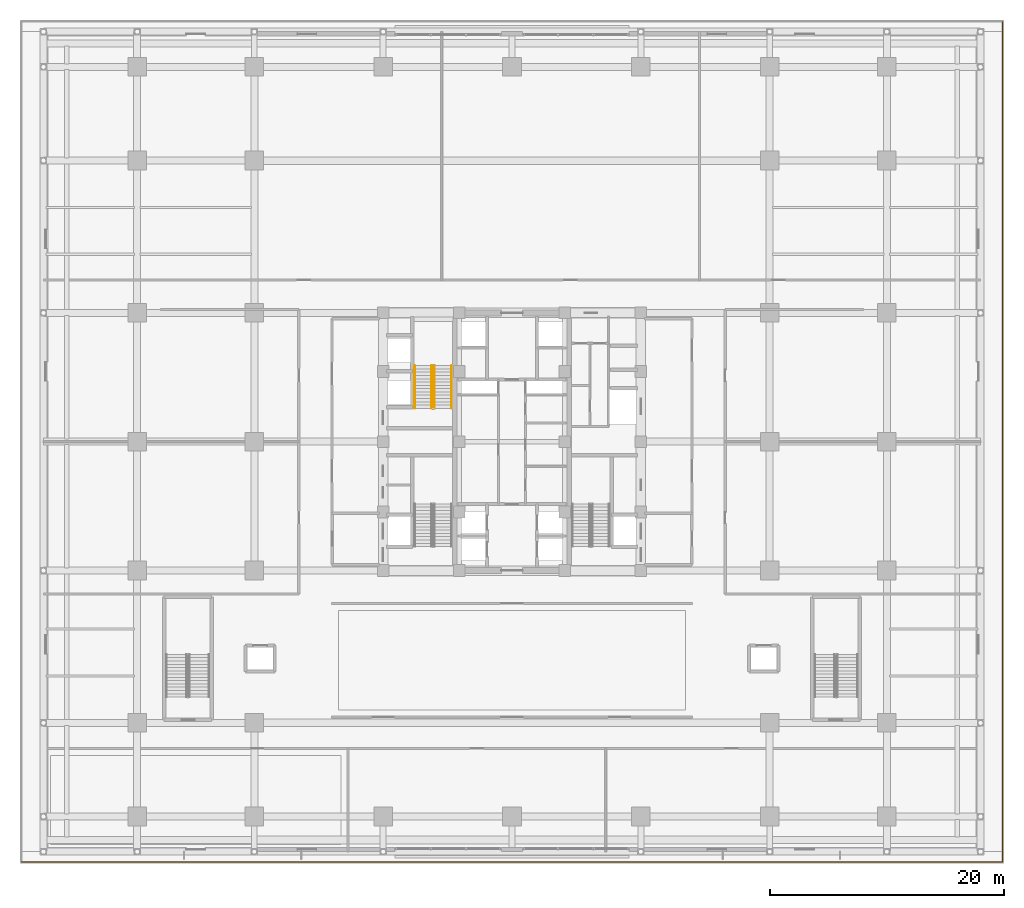
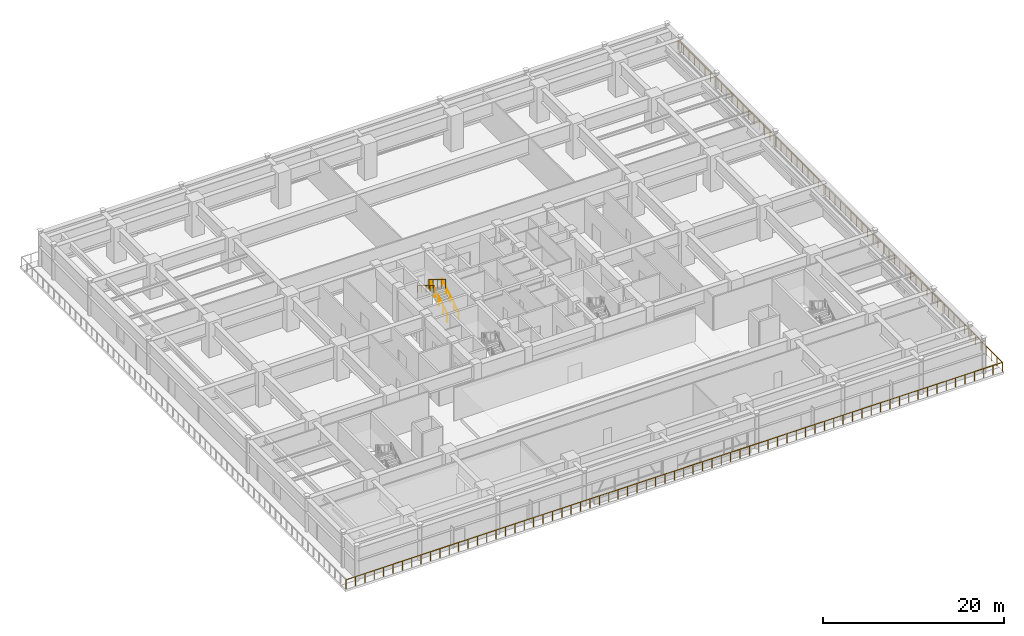
# One storey, part 36 of 38: 5 railings.
"""IFC4 building model written with IfcOpenShell, lengths in metres."""

import ifcopenshell
import ifcopenshell.guid

model = None  # the IFC model being written
_history = None  # IfcOwnerHistory: only IFC2X3 demands one
_inside = {}  # id of a spatial element -> (the spatial element, [elements in it])
_under = {}  # id of a project, library or spatial element -> (it, [spatial elements below it])
_declared = {}  # id of a project -> (the project, [libraries it declares])
_typed = {}  # id of a type object -> (the type object, [elements of that type])
_made_of = {}  # id of a material, layer set ... -> (it, [elements and type objects made of it])


def new_model(schema):
    """Start an empty IFC model of exactly this schema.

    Asked for "IFC4X3", IfcOpenShell would pick the latest addendum, in which some entities
    have other attributes; the version numbers below select the first issue.
    IFC2X3 requires an IfcOwnerHistory on every rooted entity: one is made here for all.
    """
    global model, _history
    if schema == "IFC4X3":
        model = ifcopenshell.file(schema_version=(4, 3, 0, 0))
    else:
        model = ifcopenshell.file(schema=schema)
    _inside.clear()
    _under.clear()
    _declared.clear()
    _typed.clear()
    _made_of.clear()
    _history = None
    if model.schema == "IFC2X3":
        org = make("IfcOrganization", Name="unknown")
        user = make(
            "IfcPersonAndOrganization",
            ThePerson=make("IfcPerson", FamilyName="unknown"),
            TheOrganization=org,
        )
        app = make(
            "IfcApplication",
            ApplicationDeveloper=org,
            Version="unknown",
            ApplicationFullName="unknown",
            ApplicationIdentifier="unknown",
        )
        _history = make(
            "IfcOwnerHistory",
            OwningUser=user,
            OwningApplication=app,
            ChangeAction="ADDED",
            CreationDate=0,
        )
    return model


def make(cls, **values):
    """One entity of the class cls with the attributes given. An attribute that is None is left unset."""
    return model.create_entity(
        cls, **{name: value for name, value in values.items() if value is not None}
    )


def rooted(cls, **values):
    """An entity with a GlobalId (a new one), such as an element, a storey or a relation."""
    return make(cls, GlobalId=ifcopenshell.guid.new(), OwnerHistory=_history, **values)


def si_unit(unit_type, name, prefix=None):
    """IfcSIUnit, for example si_unit("LENGTHUNIT", "METRE", prefix="MILLI")."""
    return make("IfcSIUnit", UnitType=unit_type, Prefix=prefix, Name=name)


def assignment(units):
    """IfcUnitAssignment: the units of a project."""
    return None if units is None else make("IfcUnitAssignment", Units=units)


def point(xyz):
    """IfcCartesianPoint."""
    return None if xyz is None else make("IfcCartesianPoint", Coordinates=xyz)


def direction(xyz):
    """IfcDirection."""
    return None if xyz is None else make("IfcDirection", DirectionRatios=xyz)


def frame(location, z_axis=None, x_axis=None):
    """IfcAxis2Placement3D, a coordinate frame: its origin and axes. An axis left out is left unset."""
    return make(
        "IfcAxis2Placement3D",
        Location=point(location),
        Axis=direction(z_axis),
        RefDirection=direction(x_axis),
    )


def frame_2d(location, x_axis=None):
    """IfcAxis2Placement2D, a coordinate frame in the plane: its origin and x axis."""
    return make(
        "IfcAxis2Placement2D", Location=point(location), RefDirection=direction(x_axis)
    )


def origin():
    """The frame at (0, 0, 0) with its axes left unset."""
    return frame((0.0, 0.0, 0.0))


def origin_2d():
    """The frame at (0, 0) in the plane with its x axis left unset."""
    return frame_2d((0.0, 0.0))


def place(relative_to, where):
    """IfcLocalPlacement: puts the frame where relative to a parent placement (None: the world)."""
    return make(
        "IfcLocalPlacement", PlacementRelTo=relative_to, RelativePlacement=where
    )


def context(
    kind, dimensions, precision=None, world=None, true_north=None, identifier=None
):
    """IfcGeometricRepresentationContext, for example the 3D "Model" context."""
    return make(
        "IfcGeometricRepresentationContext",
        ContextIdentifier=identifier,
        ContextType=kind,
        CoordinateSpaceDimension=dimensions,
        Precision=precision,
        WorldCoordinateSystem=world,
        TrueNorth=true_north,
    )


def subcontext(parent, identifier, kind, view, scale=None):
    """IfcGeometricRepresentationSubContext, for example "Body" below "Model"."""
    return make(
        "IfcGeometricRepresentationSubContext",
        ContextIdentifier=identifier,
        ContextType=kind,
        ParentContext=parent,
        TargetScale=scale,
        TargetView=view,
    )


def project(units=None, contexts=None):
    """IfcProject with its units and contexts."""
    return rooted(
        "IfcProject",
        Name="project",
        RepresentationContexts=contexts,
        UnitsInContext=assignment(units),
    )


def spatial(cls, under=None, at=None, **own):
    """A site, building, storey or space (cls), placed at a placement, below another one or the project."""
    s = rooted(cls, ObjectPlacement=at, **own)
    if under is not None:
        _under.setdefault(under.id(), (under, []))[1].append(s)
    return s


def profile(cls, at=None, kind="AREA", **sizes):
    """A parametric profile (cls). Its sizes go by their IFC names, for example OverallWidth=200.0."""
    return make(cls, ProfileType=kind, Position=at, **sizes)


def circle(**sizes):
    """IfcCircleProfileDef."""
    return profile("IfcCircleProfileDef", **sizes)


def extrude(swept, where, along, depth):
    """IfcExtrudedAreaSolid: the profile swept, set in the frame where, extruded along a direction by depth."""
    return make(
        "IfcExtrudedAreaSolid",
        SweptArea=swept,
        Position=where,
        ExtrudedDirection=direction(along),
        Depth=depth,
    )


def shape(context_of_items, identifier, shape_type, items):
    """IfcShapeRepresentation: the items that make up one representation, for example the "Body"."""
    return make(
        "IfcShapeRepresentation",
        ContextOfItems=context_of_items,
        RepresentationIdentifier=identifier,
        RepresentationType=shape_type,
        Items=items,
    )


def source(mapping_origin, context_of_items, identifier, shape_type, items):
    """IfcRepresentationMap: a shape defined once, which mapped items show again and again."""
    return make(
        "IfcRepresentationMap",
        MappingOrigin=mapping_origin,
        MappedRepresentation=shape(context_of_items, identifier, shape_type, items),
    )


def transform(
    local_origin,
    x_axis=None,
    y_axis=None,
    z_axis=None,
    scale=None,
    scale2=None,
    scale3=None,
    uniform=True,
):
    """IfcCartesianTransformationOperator3D, or its non-uniform kind. x_axis, y_axis, z_axis: its Axis1, 2, 3."""
    if uniform:
        return make(
            "IfcCartesianTransformationOperator3D",
            Axis1=direction(x_axis),
            Axis2=direction(y_axis),
            LocalOrigin=point(local_origin),
            Scale=scale,
            Axis3=direction(z_axis),
        )
    return make(
        "IfcCartesianTransformationOperator3DnonUniform",
        Axis1=direction(x_axis),
        Axis2=direction(y_axis),
        LocalOrigin=point(local_origin),
        Scale=scale,
        Axis3=direction(z_axis),
        Scale2=scale2,
        Scale3=scale3,
    )


def mapped(mapping_source, mapping_target):
    """IfcMappedItem: shows the shape of a source again, moved by a transform."""
    return make(
        "IfcMappedItem", MappingSource=mapping_source, MappingTarget=mapping_target
    )


def material(Name=None, Category=None):
    """IfcMaterial."""
    return make("IfcMaterial", Name=Name, Category=Category)


def made_of(thing, what):
    """Note that an element or type object is made of a material, layer set ...; save() writes the relation."""
    if what is not None:
        _made_of.setdefault(what.id(), (what, []))[1].append(thing)
    return thing


def type_object(cls, material=None, **own):
    """A type object (cls), such as IfcWallType, which elements share."""
    return made_of(rooted(cls, **own), material)


def element(
    cls,
    number,
    at=None,
    inside=None,
    cuts=None,
    type_object=None,
    material=None,
    context=None,
    identifier="Body",
    shape_type=None,
    held_by="IfcProductDefinitionShape",
    body=None,
    shapes=None,
    **own,
):
    """One element of the class cls, such as IfcWall. Its Tag is "e" and its number.

    at: its placement. inside: the storey or other place that contains it. cuts: it is an
    opening in that element (IfcRelVoidsElement). A single representation is given by context,
    identifier, shape_type and body (its items); several are given by shapes. held_by: the class
    of the entity that holds the representations. save() writes the other relations.
    """
    e = rooted(cls, Tag="e%d" % number, ObjectPlacement=at, **own)
    if body is not None:
        shapes = [shape(context, identifier, shape_type, body)]
    if shapes is not None:
        e.Representation = make(held_by, Representations=shapes)
    if inside is not None:
        _inside.setdefault(inside.id(), (inside, []))[1].append(e)
    if cuts is not None:
        rooted(
            "IfcRelVoidsElement", RelatingBuildingElement=cuts, RelatedOpeningElement=e
        )
    if type_object is not None:
        _typed.setdefault(type_object.id(), (type_object, []))[1].append(e)
    return made_of(e, material)


def aggregate(whole, parts):
    """IfcRelAggregates: a whole, such as a stair, and the parts it consists of."""
    return rooted("IfcRelAggregates", RelatingObject=whole, RelatedObjects=parts)


def save(model, path):
    """Write the relations noted so far, then the file.

    IfcRelAggregates (storeys below a building ...), IfcRelContainedInSpatialStructure (elements
    in a storey), IfcRelDefinesByType, IfcRelAssociatesMaterial and IfcRelDeclares: one each for
    every whole, place, type object, material and project.
    """
    for whole, parts in _under.values():
        aggregate(whole, parts)
    for where, things in _inside.values():
        rooted(
            "IfcRelContainedInSpatialStructure",
            RelatedElements=things,
            RelatingStructure=where,
        )
    for kind, things in _typed.values():
        rooted("IfcRelDefinesByType", RelatedObjects=things, RelatingType=kind)
    for what, things in _made_of.values():
        rooted("IfcRelAssociatesMaterial", RelatedObjects=things, RelatingMaterial=what)
    for by, libraries in _declared.values():
        rooted("IfcRelDeclares", RelatingContext=by, RelatedDefinitions=libraries)
    model.write(path)


model = new_model("IFC4")

# Units and contexts
model_context = context("Model", 3, precision=1e-05, world=origin(), true_north=direction((0.0, 1.0)))
body_context = subcontext(model_context, "Body", "Model", "MODEL_VIEW")
ifc_project = project(units=[si_unit("LENGTHUNIT", "METRE"), si_unit("AREAUNIT", "SQUARE_METRE"), si_unit("VOLUMEUNIT", "CUBIC_METRE"), si_unit("PLANEANGLEUNIT", "RADIAN"), si_unit("MASSUNIT", "GRAM", prefix="KILO")], contexts=[model_context])

# Site, building, storey
site_placement = place(None, origin())
site = spatial("IfcSite", under=ifc_project, at=site_placement, CompositionType="ELEMENT")
building_placement = place(site_placement, origin())
building = spatial("IfcBuilding", under=site, at=building_placement, Name="Khorayat Bourse Tower", CompositionType="ELEMENT")
storey_placement = place(building_placement, frame((0.0, 0.0, 17.39990234375)))
storey = spatial("IfcBuildingStorey", under=building, at=storey_placement, Name="L03", CompositionType="ELEMENT", Elevation=17.39990234375)

# Railings
ifc_material_1 = material(Name="Laminated glass and bronze balustrade", Category="glass")
railing_type_1 = type_object("IfcRailingType", Name="RLG-TERR-1250", PredefinedType="GUARDRAIL", material=ifc_material_1)
shared_shape_1 = source(origin(), body_context, "Body", "SweptSolid", [
    extrude(circle(Radius=0.02392578125, at=origin_2d()), frame((0.0, 0.0, 1.22607421875), z_axis=(1.0, 0.0, 0.0), x_axis=(0.0, 1.0, 0.0)), (0.0, 0.0, 1.0), 83.759765625),
    extrude(circle(Radius=0.02392578125, at=origin_2d()), frame((83.759765625, 0.0, 1.22607421875), z_axis=(0.0, 1.0, 0.0), x_axis=(-1.0, 0.0, 0.0)), (0.0, 0.0, 1.0), 71.699951171875),
    extrude(circle(Radius=0.02099609375, at=origin_2d()), origin(), (0.0, 0.0, 1.0), 1.201904296875),
    extrude(circle(Radius=0.02099609375, at=origin_2d()), frame((1.196533203125, 0.0, 0.0)), (0.0, 0.0, 1.0), 1.201904296875),
    extrude(circle(Radius=0.02099609375, at=origin_2d()), frame((2.39306640625, 0.0, 0.0)), (0.0, 0.0, 1.0), 1.201904296875),
    extrude(circle(Radius=0.02099609375, at=origin_2d()), frame((3.589599609375, 0.0, 0.0)), (0.0, 0.0, 1.0), 1.201904296875),
    extrude(circle(Radius=0.02099609375, at=origin_2d()), frame((4.786376953125, 0.0, 0.0)), (0.0, 0.0, 1.0), 1.201904296875),
    extrude(circle(Radius=0.02099609375, at=origin_2d()), frame((5.98291015625, 0.0, 0.0)), (0.0, 0.0, 1.0), 1.201904296875),
    extrude(circle(Radius=0.02099609375, at=origin_2d()), frame((7.179443359375, 0.0, 0.0)), (0.0, 0.0, 1.0), 1.201904296875),
    extrude(circle(Radius=0.02099609375, at=origin_2d()), frame((8.3759765625, 0.0, 0.0)), (0.0, 0.0, 1.0), 1.201904296875),
    extrude(circle(Radius=0.02099609375, at=origin_2d()), frame((9.572509765625, 0.0, 0.0)), (0.0, 0.0, 1.0), 1.201904296875),
    extrude(circle(Radius=0.02099609375, at=origin_2d()), frame((10.76904296875, 0.0, 0.0)), (0.0, 0.0, 1.0), 1.201904296875),
    extrude(circle(Radius=0.02099609375, at=origin_2d()), frame((11.965576171875, 0.0, 0.0)), (0.0, 0.0, 1.0), 1.201904296875),
    extrude(circle(Radius=0.02099609375, at=origin_2d()), frame((13.162353515625, 0.0, 0.0)), (0.0, 0.0, 1.0), 1.201904296875),
    extrude(circle(Radius=0.02099609375, at=origin_2d()), frame((14.35888671875, 0.0, 0.0)), (0.0, 0.0, 1.0), 1.201904296875),
    extrude(circle(Radius=0.02099609375, at=origin_2d()), frame((15.555419921875, 0.0, 0.0)), (0.0, 0.0, 1.0), 1.201904296875),
    extrude(circle(Radius=0.02099609375, at=origin_2d()), frame((16.751953125, 0.0, 0.0)), (0.0, 0.0, 1.0), 1.201904296875),
    extrude(circle(Radius=0.02099609375, at=origin_2d()), frame((17.948486328125, 0.0, 0.0)), (0.0, 0.0, 1.0), 1.201904296875),
    extrude(circle(Radius=0.02099609375, at=origin_2d()), frame((19.14501953125, 0.0, 0.0)), (0.0, 0.0, 1.0), 1.201904296875),
    extrude(circle(Radius=0.02099609375, at=origin_2d()), frame((20.341552734375, 0.0, 0.0)), (0.0, 0.0, 1.0), 1.201904296875),
    extrude(circle(Radius=0.02099609375, at=origin_2d()), frame((21.538330078125, 0.0, 0.0)), (0.0, 0.0, 1.0), 1.201904296875),
    extrude(circle(Radius=0.02099609375, at=origin_2d()), frame((22.73486328125, 0.0, 0.0)), (0.0, 0.0, 1.0), 1.201904296875),
    extrude(circle(Radius=0.02099609375, at=origin_2d()), frame((23.931396484375, 0.0, 0.0)), (0.0, 0.0, 1.0), 1.201904296875),
    extrude(circle(Radius=0.02099609375, at=origin_2d()), frame((25.1279296875, 0.0, 0.0)), (0.0, 0.0, 1.0), 1.201904296875),
    extrude(circle(Radius=0.02099609375, at=origin_2d()), frame((26.324462890625, 0.0, 0.0)), (0.0, 0.0, 1.0), 1.201904296875),
    extrude(circle(Radius=0.02099609375, at=origin_2d()), frame((27.52099609375, 0.0, 0.0)), (0.0, 0.0, 1.0), 1.201904296875),
    extrude(circle(Radius=0.02099609375, at=origin_2d()), frame((28.717529296875, 0.0, 0.0)), (0.0, 0.0, 1.0), 1.201904296875),
    extrude(circle(Radius=0.02099609375, at=origin_2d()), frame((29.914306640625, 0.0, 0.0)), (0.0, 0.0, 1.0), 1.201904296875),
    extrude(circle(Radius=0.02099609375, at=origin_2d()), frame((31.11083984375, 0.0, 0.0)), (0.0, 0.0, 1.0), 1.201904296875),
    extrude(circle(Radius=0.02099609375, at=origin_2d()), frame((32.307373046875, 0.0, 0.0)), (0.0, 0.0, 1.0), 1.201904296875),
    extrude(circle(Radius=0.02099609375, at=origin_2d()), frame((33.50390625, 0.0, 0.0)), (0.0, 0.0, 1.0), 1.201904296875),
    extrude(circle(Radius=0.02099609375, at=origin_2d()), frame((34.700439453125, 0.0, 0.0)), (0.0, 0.0, 1.0), 1.201904296875),
    extrude(circle(Radius=0.02099609375, at=origin_2d()), frame((35.89697265625, 0.0, 0.0)), (0.0, 0.0, 1.0), 1.201904296875),
    extrude(circle(Radius=0.02099609375, at=origin_2d()), frame((37.093505859375, 0.0, 0.0)), (0.0, 0.0, 1.0), 1.201904296875),
    extrude(circle(Radius=0.02099609375, at=origin_2d()), frame((38.290283203125, 0.0, 0.0)), (0.0, 0.0, 1.0), 1.201904296875),
    extrude(circle(Radius=0.02099609375, at=origin_2d()), frame((39.48681640625, 0.0, 0.0)), (0.0, 0.0, 1.0), 1.201904296875),
    extrude(circle(Radius=0.02099609375, at=origin_2d()), frame((40.683349609375, 0.0, 0.0)), (0.0, 0.0, 1.0), 1.201904296875),
    extrude(circle(Radius=0.02099609375, at=origin_2d()), frame((41.8798828125, 0.0, 0.0)), (0.0, 0.0, 1.0), 1.201904296875),
    extrude(circle(Radius=0.02099609375, at=origin_2d()), frame((43.076416015625, 0.0, 0.0)), (0.0, 0.0, 1.0), 1.201904296875),
    extrude(circle(Radius=0.02099609375, at=origin_2d()), frame((44.27294921875, 0.0, 0.0)), (0.0, 0.0, 1.0), 1.201904296875),
    extrude(circle(Radius=0.02099609375, at=origin_2d()), frame((45.469482421875, 0.0, 0.0)), (0.0, 0.0, 1.0), 1.201904296875),
    extrude(circle(Radius=0.02099609375, at=origin_2d()), frame((46.666259765625, 0.0, 0.0)), (0.0, 0.0, 1.0), 1.201904296875),
    extrude(circle(Radius=0.02099609375, at=origin_2d()), frame((47.86279296875, 0.0, 0.0)), (0.0, 0.0, 1.0), 1.201904296875),
    extrude(circle(Radius=0.02099609375, at=origin_2d()), frame((49.059326171875, 0.0, 0.0)), (0.0, 0.0, 1.0), 1.201904296875),
    extrude(circle(Radius=0.02099609375, at=origin_2d()), frame((50.255859375, 0.0, 0.0)), (0.0, 0.0, 1.0), 1.201904296875),
    extrude(circle(Radius=0.02099609375, at=origin_2d()), frame((51.452392578125, 0.0, 0.0)), (0.0, 0.0, 1.0), 1.201904296875),
    extrude(circle(Radius=0.02099609375, at=origin_2d()), frame((52.64892578125, 0.0, 0.0)), (0.0, 0.0, 1.0), 1.201904296875),
    extrude(circle(Radius=0.02099609375, at=origin_2d()), frame((53.845458984375, 0.0, 0.0)), (0.0, 0.0, 1.0), 1.201904296875),
    extrude(circle(Radius=0.02099609375, at=origin_2d()), frame((55.042236328125, 0.0, 0.0)), (0.0, 0.0, 1.0), 1.201904296875),
    extrude(circle(Radius=0.02099609375, at=origin_2d()), frame((56.23876953125, 0.0, 0.0)), (0.0, 0.0, 1.0), 1.201904296875),
    extrude(circle(Radius=0.02099609375, at=origin_2d()), frame((57.435302734375, 0.0, 0.0)), (0.0, 0.0, 1.0), 1.201904296875),
    extrude(circle(Radius=0.02099609375, at=origin_2d()), frame((58.6318359375, 0.0, 0.0)), (0.0, 0.0, 1.0), 1.201904296875),
    extrude(circle(Radius=0.02099609375, at=origin_2d()), frame((59.828369140625, 0.0, 0.0)), (0.0, 0.0, 1.0), 1.201904296875),
    extrude(circle(Radius=0.02099609375, at=origin_2d()), frame((61.02490234375, 0.0, 0.0)), (0.0, 0.0, 1.0), 1.201904296875),
    extrude(circle(Radius=0.02099609375, at=origin_2d()), frame((62.221435546875, 0.0, 0.0)), (0.0, 0.0, 1.0), 1.201904296875),
    extrude(circle(Radius=0.02099609375, at=origin_2d()), frame((63.418212890625, 0.0, 0.0)), (0.0, 0.0, 1.0), 1.201904296875),
    extrude(circle(Radius=0.02099609375, at=origin_2d()), frame((64.61474609375, 0.0, 0.0)), (0.0, 0.0, 1.0), 1.201904296875),
    extrude(circle(Radius=0.02099609375, at=origin_2d()), frame((65.811279296875, 0.0, 0.0)), (0.0, 0.0, 1.0), 1.201904296875),
    extrude(circle(Radius=0.02099609375, at=origin_2d()), frame((67.0078125, 0.0, 0.0)), (0.0, 0.0, 1.0), 1.201904296875),
    extrude(circle(Radius=0.02099609375, at=origin_2d()), frame((68.204345703125, 0.0, 0.0)), (0.0, 0.0, 1.0), 1.201904296875),
    extrude(circle(Radius=0.02099609375, at=origin_2d()), frame((69.40087890625, 0.0, 0.0)), (0.0, 0.0, 1.0), 1.201904296875),
    extrude(circle(Radius=0.02099609375, at=origin_2d()), frame((70.597412109375, 0.0, 0.0)), (0.0, 0.0, 1.0), 1.201904296875),
    extrude(circle(Radius=0.02099609375, at=origin_2d()), frame((71.794189453125, 0.0, 0.0)), (0.0, 0.0, 1.0), 1.201904296875),
    extrude(circle(Radius=0.02099609375, at=origin_2d()), frame((72.99072265625, 0.0, 0.0)), (0.0, 0.0, 1.0), 1.201904296875),
    extrude(circle(Radius=0.02099609375, at=origin_2d()), frame((74.187255859375, 0.0, 0.0)), (0.0, 0.0, 1.0), 1.201904296875),
    extrude(circle(Radius=0.02099609375, at=origin_2d()), frame((75.3837890625, 0.0, 0.0)), (0.0, 0.0, 1.0), 1.201904296875),
    extrude(circle(Radius=0.02099609375, at=origin_2d()), frame((76.580322265625, 0.0, 0.0)), (0.0, 0.0, 1.0), 1.201904296875),
    extrude(circle(Radius=0.02099609375, at=origin_2d()), frame((77.77685546875, 0.0, 0.0)), (0.0, 0.0, 1.0), 1.201904296875),
    extrude(circle(Radius=0.02099609375, at=origin_2d()), frame((78.973388671875, 0.0, 0.0)), (0.0, 0.0, 1.0), 1.201904296875),
    extrude(circle(Radius=0.02099609375, at=origin_2d()), frame((80.170166015625, 0.0, 0.0)), (0.0, 0.0, 1.0), 1.201904296875),
    extrude(circle(Radius=0.02099609375, at=origin_2d()), frame((81.36669921875, 0.0, 0.0)), (0.0, 0.0, 1.0), 1.201904296875),
    extrude(circle(Radius=0.02099609375, at=origin_2d()), frame((82.563232421875, 0.0, 0.0)), (0.0, 0.0, 1.0), 1.201904296875),
    extrude(circle(Radius=0.02099609375, at=origin_2d()), frame((83.759765625, 0.0, 0.0)), (0.0, 0.0, 1.0), 1.201904296875),
    extrude(circle(Radius=0.02099609375, at=origin_2d()), frame((83.759765625, 1.195068359375, 0.0)), (0.0, 0.0, 1.0), 1.201904296875),
    extrude(circle(Radius=0.02099609375, at=origin_2d()), frame((83.759765625, 2.389892578125, 0.0)), (0.0, 0.0, 1.0), 1.201904296875),
    extrude(circle(Radius=0.02099609375, at=origin_2d()), frame((83.759765625, 3.5849609375, 0.0)), (0.0, 0.0, 1.0), 1.201904296875),
    extrude(circle(Radius=0.02099609375, at=origin_2d()), frame((83.759765625, 4.780029296875, 0.0)), (0.0, 0.0, 1.0), 1.201904296875),
    extrude(circle(Radius=0.02099609375, at=origin_2d()), frame((83.759765625, 5.97509765625, 0.0)), (0.0, 0.0, 1.0), 1.201904296875),
    extrude(circle(Radius=0.02099609375, at=origin_2d()), frame((83.759765625, 7.169921875, 0.0)), (0.0, 0.0, 1.0), 1.201904296875),
    extrude(circle(Radius=0.02099609375, at=origin_2d()), frame((83.759765625, 8.364990234375, 0.0)), (0.0, 0.0, 1.0), 1.201904296875),
    extrude(circle(Radius=0.02099609375, at=origin_2d()), frame((83.759765625, 9.56005859375, 0.0)), (0.0, 0.0, 1.0), 1.201904296875),
    extrude(circle(Radius=0.02099609375, at=origin_2d()), frame((83.759765625, 10.7548828125, 0.0)), (0.0, 0.0, 1.0), 1.201904296875),
    extrude(circle(Radius=0.02099609375, at=origin_2d()), frame((83.759765625, 11.949951171875, 0.0)), (0.0, 0.0, 1.0), 1.201904296875),
    extrude(circle(Radius=0.02099609375, at=origin_2d()), frame((83.759765625, 13.14501953125, 0.0)), (0.0, 0.0, 1.0), 1.201904296875),
    extrude(circle(Radius=0.02099609375, at=origin_2d()), frame((83.759765625, 14.340087890625, 0.0)), (0.0, 0.0, 1.0), 1.201904296875),
    extrude(circle(Radius=0.02099609375, at=origin_2d()), frame((83.759765625, 15.534912109375, 0.0)), (0.0, 0.0, 1.0), 1.201904296875),
    extrude(circle(Radius=0.02099609375, at=origin_2d()), frame((83.759765625, 16.72998046875, 0.0)), (0.0, 0.0, 1.0), 1.201904296875),
    extrude(circle(Radius=0.02099609375, at=origin_2d()), frame((83.759765625, 17.925048828125, 0.0)), (0.0, 0.0, 1.0), 1.201904296875),
    extrude(circle(Radius=0.02099609375, at=origin_2d()), frame((83.759765625, 19.119873046875, 0.0)), (0.0, 0.0, 1.0), 1.201904296875),
    extrude(circle(Radius=0.02099609375, at=origin_2d()), frame((83.759765625, 20.31494140625, 0.0)), (0.0, 0.0, 1.0), 1.201904296875),
    extrude(circle(Radius=0.02099609375, at=origin_2d()), frame((83.759765625, 21.510009765625, 0.0)), (0.0, 0.0, 1.0), 1.201904296875),
    extrude(circle(Radius=0.02099609375, at=origin_2d()), frame((83.759765625, 22.705078125, 0.0)), (0.0, 0.0, 1.0), 1.201904296875),
    extrude(circle(Radius=0.02099609375, at=origin_2d()), frame((83.759765625, 23.89990234375, 0.0)), (0.0, 0.0, 1.0), 1.201904296875),
    extrude(circle(Radius=0.02099609375, at=origin_2d()), frame((83.759765625, 25.094970703125, 0.0)), (0.0, 0.0, 1.0), 1.201904296875),
    extrude(circle(Radius=0.02099609375, at=origin_2d()), frame((83.759765625, 26.2900390625, 0.0)), (0.0, 0.0, 1.0), 1.201904296875),
    extrude(circle(Radius=0.02099609375, at=origin_2d()), frame((83.759765625, 27.48486328125, 0.0)), (0.0, 0.0, 1.0), 1.201904296875),
    extrude(circle(Radius=0.02099609375, at=origin_2d()), frame((83.759765625, 28.679931640625, 0.0)), (0.0, 0.0, 1.0), 1.201904296875),
    extrude(circle(Radius=0.02099609375, at=origin_2d()), frame((83.759765625, 29.875, 0.0)), (0.0, 0.0, 1.0), 1.201904296875),
    extrude(circle(Radius=0.02099609375, at=origin_2d()), frame((83.759765625, 31.070068359375, 0.0)), (0.0, 0.0, 1.0), 1.201904296875),
    extrude(circle(Radius=0.02099609375, at=origin_2d()), frame((83.759765625, 32.264892578125, 0.0)), (0.0, 0.0, 1.0), 1.201904296875),
    extrude(circle(Radius=0.02099609375, at=origin_2d()), frame((83.759765625, 33.4599609375, 0.0)), (0.0, 0.0, 1.0), 1.201904296875),
    extrude(circle(Radius=0.02099609375, at=origin_2d()), frame((83.759765625, 34.655029296875, 0.0)), (0.0, 0.0, 1.0), 1.201904296875),
    extrude(circle(Radius=0.02099609375, at=origin_2d()), frame((83.759765625, 35.85009765625, 0.0)), (0.0, 0.0, 1.0), 1.201904296875),
    extrude(circle(Radius=0.02099609375, at=origin_2d()), frame((83.759765625, 37.044921875, 0.0)), (0.0, 0.0, 1.0), 1.201904296875),
    extrude(circle(Radius=0.02099609375, at=origin_2d()), frame((83.759765625, 38.239990234375, 0.0)), (0.0, 0.0, 1.0), 1.201904296875),
    extrude(circle(Radius=0.02099609375, at=origin_2d()), frame((83.759765625, 39.43505859375, 0.0)), (0.0, 0.0, 1.0), 1.201904296875),
    extrude(circle(Radius=0.02099609375, at=origin_2d()), frame((83.759765625, 40.6298828125, 0.0)), (0.0, 0.0, 1.0), 1.201904296875),
    extrude(circle(Radius=0.02099609375, at=origin_2d()), frame((83.759765625, 41.824951171875, 0.0)), (0.0, 0.0, 1.0), 1.201904296875),
    extrude(circle(Radius=0.02099609375, at=origin_2d()), frame((83.759765625, 43.02001953125, 0.0)), (0.0, 0.0, 1.0), 1.201904296875),
    extrude(circle(Radius=0.02099609375, at=origin_2d()), frame((83.759765625, 44.215087890625, 0.0)), (0.0, 0.0, 1.0), 1.201904296875),
    extrude(circle(Radius=0.02099609375, at=origin_2d()), frame((83.759765625, 45.409912109375, 0.0)), (0.0, 0.0, 1.0), 1.201904296875),
    extrude(circle(Radius=0.02099609375, at=origin_2d()), frame((83.759765625, 46.60498046875, 0.0)), (0.0, 0.0, 1.0), 1.201904296875),
    extrude(circle(Radius=0.02099609375, at=origin_2d()), frame((83.759765625, 47.800048828125, 0.0)), (0.0, 0.0, 1.0), 1.201904296875),
    extrude(circle(Radius=0.02099609375, at=origin_2d()), frame((83.759765625, 48.994873046875, 0.0)), (0.0, 0.0, 1.0), 1.201904296875),
    extrude(circle(Radius=0.02099609375, at=origin_2d()), frame((83.759765625, 50.18994140625, 0.0)), (0.0, 0.0, 1.0), 1.201904296875),
    extrude(circle(Radius=0.02099609375, at=origin_2d()), frame((83.759765625, 51.385009765625, 0.0)), (0.0, 0.0, 1.0), 1.201904296875),
    extrude(circle(Radius=0.02099609375, at=origin_2d()), frame((83.759765625, 52.580078125, 0.0)), (0.0, 0.0, 1.0), 1.201904296875),
    extrude(circle(Radius=0.02099609375, at=origin_2d()), frame((83.759765625, 53.77490234375, 0.0)), (0.0, 0.0, 1.0), 1.201904296875),
    extrude(circle(Radius=0.02099609375, at=origin_2d()), frame((83.759765625, 54.969970703125, 0.0)), (0.0, 0.0, 1.0), 1.201904296875),
    extrude(circle(Radius=0.02099609375, at=origin_2d()), frame((83.759765625, 56.1650390625, 0.0)), (0.0, 0.0, 1.0), 1.201904296875),
    extrude(circle(Radius=0.02099609375, at=origin_2d()), frame((83.759765625, 57.35986328125, 0.0)), (0.0, 0.0, 1.0), 1.201904296875),
    extrude(circle(Radius=0.02099609375, at=origin_2d()), frame((83.759765625, 58.554931640625, 0.0)), (0.0, 0.0, 1.0), 1.201904296875),
    extrude(circle(Radius=0.02099609375, at=origin_2d()), frame((83.759765625, 59.75, 0.0)), (0.0, 0.0, 1.0), 1.201904296875),
    extrude(circle(Radius=0.02099609375, at=origin_2d()), frame((83.759765625, 60.945068359375, 0.0)), (0.0, 0.0, 1.0), 1.201904296875),
    extrude(circle(Radius=0.02099609375, at=origin_2d()), frame((83.759765625, 62.139892578125, 0.0)), (0.0, 0.0, 1.0), 1.201904296875),
    extrude(circle(Radius=0.02099609375, at=origin_2d()), frame((83.759765625, 63.3349609375, 0.0)), (0.0, 0.0, 1.0), 1.201904296875),
    extrude(circle(Radius=0.02099609375, at=origin_2d()), frame((83.759765625, 64.530029296875, 0.0)), (0.0, 0.0, 1.0), 1.201904296875),
    extrude(circle(Radius=0.02099609375, at=origin_2d()), frame((83.759765625, 65.724853515625, 0.0)), (0.0, 0.0, 1.0), 1.201904296875),
    extrude(circle(Radius=0.02099609375, at=origin_2d()), frame((83.759765625, 66.919921875, 0.0)), (0.0, 0.0, 1.0), 1.201904296875),
    extrude(circle(Radius=0.02099609375, at=origin_2d()), frame((83.759765625, 68.114990234375, 0.0)), (0.0, 0.0, 1.0), 1.201904296875),
    extrude(circle(Radius=0.02099609375, at=origin_2d()), frame((83.759765625, 69.31005859375, 0.0)), (0.0, 0.0, 1.0), 1.201904296875),
    extrude(circle(Radius=0.02099609375, at=origin_2d()), frame((83.759765625, 70.5048828125, 0.0)), (0.0, 0.0, 1.0), 1.201904296875),
    extrude(circle(Radius=0.02099609375, at=origin_2d()), frame((83.759765625, 71.699951171875, 0.0)), (0.0, 0.0, 1.0), 1.201904296875),
])
railing_1_placement = place(storey_placement, frame((-41.8798828125, -35.8798828125, 0.0)))
element("IfcRailing", 1, at=railing_1_placement, inside=storey, type_object=railing_type_1, Name="L03 Cascading Terrace Perimeter Guard SE", PredefinedType="GUARDRAIL", context=body_context, shape_type="MappedRepresentation", body=[
    mapped(shared_shape_1, transform((0.0, 0.0, 0.0), scale=1.0)),
])
ifc_material_2 = material(Name="Powder-coated steel balustrade", Category="steel")
railing_type_2 = type_object("IfcRailingType", Name="RLG-GUARD-1200", PredefinedType="GUARDRAIL", material=ifc_material_2)
shared_shape_2 = source(origin(), body_context, "Body", "SweptSolid", [
    extrude(circle(Radius=0.02392578125, at=origin_2d()), frame((0.0, 0.0, 1.17578125), z_axis=(0.0, 0.852850264322, 0.5221555579), x_axis=(-1.0, 0.0, 0.0)), (0.0, 0.0, 1.0), 4.267822265625),
    extrude(circle(Radius=0.02099609375, at=origin_2d()), origin(), (0.0, 0.0, 1.0), 1.15185546875),
    extrude(circle(Radius=0.02099609375, at=origin_2d()), frame((0.0, 0.909912109375, 0.55712890625)), (0.0, 0.0, 1.0), 1.15185546875),
    extrude(circle(Radius=0.02099609375, at=origin_2d()), frame((0.0, 1.81982421875, 1.1142578125)), (0.0, 0.0, 1.0), 1.15185546875),
    extrude(circle(Radius=0.02099609375, at=origin_2d()), frame((0.0, 2.72998046875, 1.67138671875)), (0.0, 0.0, 1.0), 1.15185546875),
    extrude(circle(Radius=0.02099609375, at=origin_2d()), frame((0.0, 3.639892578125, 2.228515625)), (0.0, 0.0, 1.0), 1.15185546875),
])
railing_2_placement = place(storey_placement, frame((-6.60009765625, 2.85009765625, 0.171630859375)))
element("IfcRailing", 2, at=railing_2_placement, inside=storey, type_object=railing_type_2, Name="L03 ST-2 stair guard 1", PredefinedType="GUARDRAIL", context=body_context, shape_type="MappedRepresentation", body=[
    mapped(shared_shape_2, transform((0.0, 0.0, 0.0), scale=1.0)),
])
shared_shape_3 = source(origin(), body_context, "Body", "SweptSolid", [
    extrude(circle(Radius=0.02392578125, at=origin_2d()), frame((0.0, 0.0, 1.17578125), z_axis=(0.0, -0.852850264322, 0.5221555579), x_axis=(1.0, 0.0, 0.0)), (0.0, 0.0, 1.0), 4.267822265625),
    extrude(circle(Radius=0.02099609375, at=origin_2d()), origin(), (0.0, 0.0, 1.0), 1.15185546875),
    extrude(circle(Radius=0.02099609375, at=origin_2d()), frame((0.0, -0.909912109375, 0.55712890625)), (0.0, 0.0, 1.0), 1.15185546875),
    extrude(circle(Radius=0.02099609375, at=origin_2d()), frame((0.0, -1.81982421875, 1.1142578125)), (0.0, 0.0, 1.0), 1.15185546875),
    extrude(circle(Radius=0.02099609375, at=origin_2d()), frame((0.0, -2.72998046875, 1.67138671875)), (0.0, 0.0, 1.0), 1.15185546875),
    extrude(circle(Radius=0.02099609375, at=origin_2d()), frame((0.0, -3.639892578125, 2.228515625)), (0.0, 0.0, 1.0), 1.15185546875),
])
railing_3_placement = place(storey_placement, frame((-6.85009765625, 6.489990234375, 2.571533203125)))
element("IfcRailing", 3, at=railing_3_placement, inside=storey, type_object=railing_type_2, Name="L03 ST-2 stair guard 3", PredefinedType="GUARDRAIL", context=body_context, shape_type="MappedRepresentation", body=[
    mapped(shared_shape_3, transform((0.0, 0.0, 0.0), scale=1.0)),
])
ifc_material_3 = material(Name="Brushed bronze stainless-steel handrail", Category="steel")
railing_type_3 = type_object("IfcRailingType", Name="RLG-HAND-900", PredefinedType="HANDRAIL", material=ifc_material_3)
shared_shape_4 = source(origin(), body_context, "Body", "SweptSolid", [
    extrude(circle(Radius=0.02392578125, at=origin_2d()), frame((0.0, 0.0, 0.8759765625), z_axis=(0.0, 0.852850264322, 0.5221555579), x_axis=(-1.0, 0.0, 0.0)), (0.0, 0.0, 1.0), 4.267822265625),
    extrude(circle(Radius=0.02099609375, at=origin_2d()), origin(), (0.0, 0.0, 1.0), 0.851806640625),
    extrude(circle(Radius=0.02099609375, at=origin_2d()), frame((0.0, 0.909912109375, 0.55712890625)), (0.0, 0.0, 1.0), 0.851806640625),
    extrude(circle(Radius=0.02099609375, at=origin_2d()), frame((0.0, 1.81982421875, 1.1142578125)), (0.0, 0.0, 1.0), 0.851806640625),
    extrude(circle(Radius=0.02099609375, at=origin_2d()), frame((0.0, 2.72998046875, 1.67138671875)), (0.0, 0.0, 1.0), 0.851806640625),
    extrude(circle(Radius=0.02099609375, at=origin_2d()), frame((0.0, 3.639892578125, 2.228515625)), (0.0, 0.0, 1.0), 0.851806640625),
])
railing_4_placement = place(storey_placement, frame((-5.14990234375, 2.85009765625, 0.171630859375)))
element("IfcRailing", 4, at=railing_4_placement, inside=storey, type_object=railing_type_3, Name="L03 ST-2 stair handrail 1", PredefinedType="HANDRAIL", context=body_context, shape_type="MappedRepresentation", body=[
    mapped(shared_shape_4, transform((0.0, 0.0, 0.0), scale=1.0)),
])
shared_shape_5 = source(origin(), body_context, "Body", "SweptSolid", [
    extrude(circle(Radius=0.02392578125, at=origin_2d()), frame((0.0, 0.0, 0.8759765625), z_axis=(0.0, -0.852850264322, 0.5221555579), x_axis=(1.0, 0.0, 0.0)), (0.0, 0.0, 1.0), 4.267822265625),
    extrude(circle(Radius=0.02099609375, at=origin_2d()), origin(), (0.0, 0.0, 1.0), 0.851806640625),
    extrude(circle(Radius=0.02099609375, at=origin_2d()), frame((0.0, -0.909912109375, 0.55712890625)), (0.0, 0.0, 1.0), 0.851806640625),
    extrude(circle(Radius=0.02099609375, at=origin_2d()), frame((0.0, -1.81982421875, 1.1142578125)), (0.0, 0.0, 1.0), 0.851806640625),
    extrude(circle(Radius=0.02099609375, at=origin_2d()), frame((0.0, -2.72998046875, 1.67138671875)), (0.0, 0.0, 1.0), 0.851806640625),
    extrude(circle(Radius=0.02099609375, at=origin_2d()), frame((0.0, -3.639892578125, 2.228515625)), (0.0, 0.0, 1.0), 0.851806640625),
])
railing_5_placement = place(storey_placement, frame((-8.300048828125, 6.489990234375, 2.571533203125)))
element("IfcRailing", 5, at=railing_5_placement, inside=storey, type_object=railing_type_3, Name="L03 ST-2 stair handrail 2", PredefinedType="HANDRAIL", context=body_context, shape_type="MappedRepresentation", body=[
    mapped(shared_shape_5, transform((0.0, 0.0, 0.0), scale=1.0)),
])

save(model, "model.ifc")
